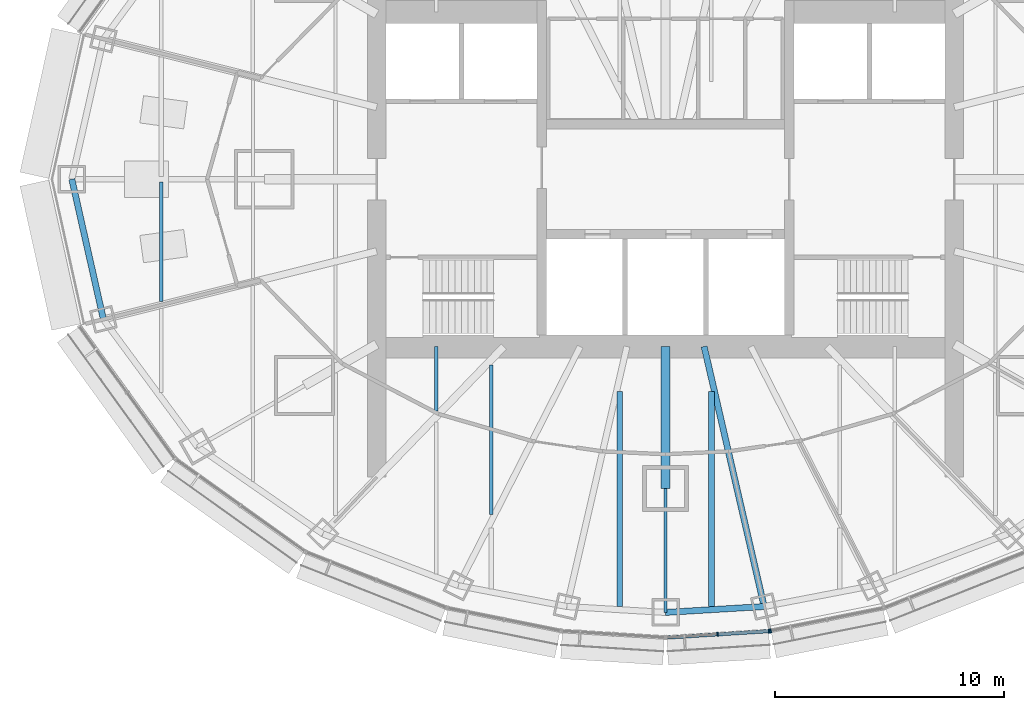
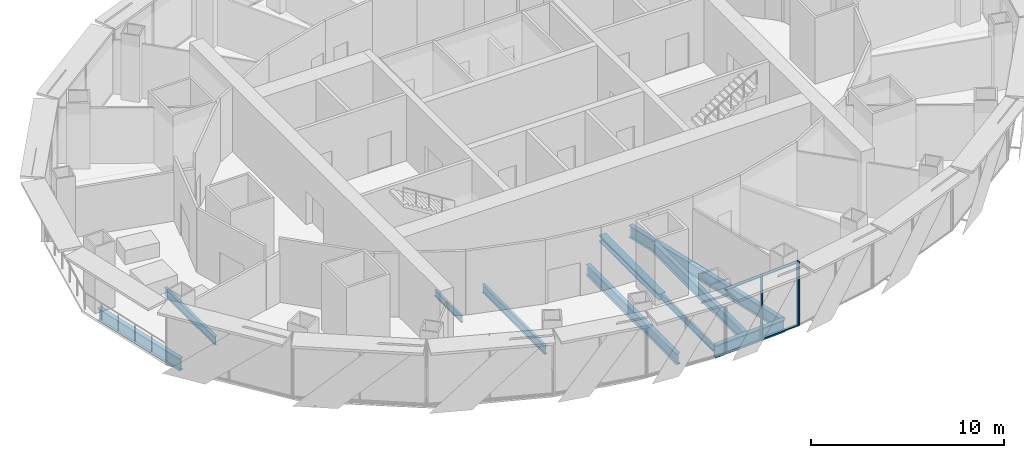
# One storey, part 3 of 16: 10 beams, 6 members, 2 elements without a shape of their own.
"""IFC4 building model written with IfcOpenShell, lengths in metres."""

from ifc_helpers import new_model, si_unit, direction, frame, origin, origin_2d, place, context, subcontext, project, spatial, rectangle, i_section, extrude, material, material_profile, profile_set, type_object, element, aggregate, save


model = new_model("IFC4")

# Units and contexts
model_context = context("Model", 3, precision=1e-05, world=origin(), true_north=direction((0.0, 1.0)))
body_context = subcontext(model_context, "Body", "Model", "MODEL_VIEW")
ifc_project = project(units=[si_unit("LENGTHUNIT", "METRE"), si_unit("AREAUNIT", "SQUARE_METRE"), si_unit("VOLUMEUNIT", "CUBIC_METRE"), si_unit("PLANEANGLEUNIT", "RADIAN"), si_unit("MASSUNIT", "GRAM", prefix="KILO")], contexts=[model_context])

# Site, building, storey
site_placement = place(None, origin())
site = spatial("IfcSite", under=ifc_project, at=site_placement, CompositionType="ELEMENT")
building_placement = place(site_placement, origin())
building = spatial("IfcBuilding", under=site, at=building_placement, Name="Lantaw Convention Tower", CompositionType="ELEMENT")
storey_placement = place(building_placement, frame((0.0, 0.0, 232.60009765625)))
storey = spatial("IfcBuildingStorey", under=building, at=storey_placement, Name="L54", CompositionType="ELEMENT", Elevation=232.60009765625)

# Beams
ifc_material_1 = material(Name="Steel ASTM A992", Category="steel")
ifc_material_profile_1 = material_profile(ifc_material_1, i_section(OverallWidth=0.2666015625, OverallDepth=0.76953125, WebThickness=0.015625, FlangeThickness=0.025390625, FilletRadius=0.0126953125, at=origin_2d()), Name="W30X132")
ifc_profile_set_1 = profile_set([ifc_material_profile_1], Name="Steel ASTM A992")
beam_type_1 = type_object("IfcBeamType", Name="Beam E W30X132", PredefinedType="SPANDREL", material=ifc_profile_set_1)
beam_1_placement = place(storey_placement, frame((-25.89990234375, 0.0, -0.534912109375), z_axis=(0.219857926596, -0.97553190215, 0.0), x_axis=(0.97553190215, 0.219857926596, 0.0)))
element("IfcBeam", 1, at=beam_1_placement, inside=storey, type_object=beam_type_1, Name="Edge beam 13", PredefinedType="SPANDREL", context=body_context, shape_type="SweptSolid", body=[
    extrude(i_section(OverallWidth=0.2666015625, OverallDepth=0.76953125, WebThickness=0.015625, FlangeThickness=0.025390625, FilletRadius=0.0126953125, at=origin_2d()), origin(), (0.0, 0.0, 1.0), 6.267333984375),
])
beam_2_placement = place(storey_placement, frame((0.0, -18.89990234375, -0.534912109375), z_axis=(0.998210730897, 0.059794119452, 0.0), x_axis=(-0.059794119452, 0.998210730897, 0.0)))
element("IfcBeam", 2, at=beam_2_placement, inside=storey, type_object=beam_type_1, Name="Edge beam 19", PredefinedType="SPANDREL", context=body_context, shape_type="SweptSolid", body=[
    extrude(i_section(OverallWidth=0.2666015625, OverallDepth=0.76953125, WebThickness=0.015625, FlangeThickness=0.025390625, FilletRadius=0.0126953125, at=origin_2d()), origin(), (0.0, 0.0, 1.0), 4.311767578125),
])
ifc_material_profile_2 = material_profile(ifc_material_1, i_section(OverallWidth=0.140380859375, OverallDepth=0.40380859375, WebThickness=0.007080078125, FlangeThickness=0.01123046875, FilletRadius=0.01025390625, at=origin_2d()), Name="W16X31")
ifc_profile_set_2 = profile_set([ifc_material_profile_2], Name="Steel ASTM A992")
beam_type_2 = type_object("IfcBeamType", Name="Beam G W16X31", PredefinedType="BEAM", material=ifc_profile_set_2)
beam_3_placement = place(storey_placement, frame((0.0, -13.5, -0.35205078125), z_axis=(0.0, -1.0, 0.0), x_axis=(1.0, 0.0, 0.0)))
element("IfcBeam", 3, at=beam_3_placement, inside=storey, type_object=beam_type_2, Name="Floor girder on ray 19", PredefinedType="BEAM", context=body_context, shape_type="SweptSolid", body=[
    extrude(i_section(OverallWidth=0.140380859375, OverallDepth=0.40380859375, WebThickness=0.007080078125, FlangeThickness=0.01123046875, FilletRadius=0.01025390625, at=origin_2d()), origin(), (0.0, 0.0, 1.0), 5.39990234375),
])
ifc_material_profile_3 = material_profile(ifc_material_1, i_section(OverallWidth=0.2666015625, OverallDepth=0.7568359375, WebThickness=0.013916015625, FlangeThickness=0.019287109375, FilletRadius=0.0126953125, at=origin_2d()), Name="W30X108")
ifc_profile_set_3 = profile_set([ifc_material_profile_3], Name="Steel ASTM A992")
beam_type_3 = type_object("IfcBeamType", Name="Beam G W30X108", PredefinedType="BEAM", material=ifc_profile_set_3)
beam_4_placement = place(storey_placement, frame((1.685302734375, -7.300048828125, -0.528564453125), z_axis=(0.224962134377, -0.974367506692, 0.0), x_axis=(0.974367506692, 0.224962134377, 0.0)))
element("IfcBeam", 4, at=beam_4_placement, inside=storey, type_object=beam_type_3, Name="Floor girder on ray 20", PredefinedType="BEAM", context=body_context, shape_type="SweptSolid", body=[
    extrude(i_section(OverallWidth=0.2666015625, OverallDepth=0.7568359375, WebThickness=0.013916015625, FlangeThickness=0.019287109375, FilletRadius=0.0126953125, at=origin_2d()), origin(), (0.0, 0.0, 1.0), 11.640380859375),
])
ifc_material_profile_4 = material_profile(ifc_material_1, i_section(OverallWidth=0.40380859375, OverallDepth=0.406494140625, WebThickness=0.027099609375, FlangeThickness=0.043701171875, FilletRadius=0.01513671875, at=origin_2d()), Name="W14X233")
ifc_profile_set_4 = profile_set([ifc_material_profile_4], Name="Steel ASTM A992")
beam_type_4 = type_object("IfcBeamType", Name="Beam GM W14X233", PredefinedType="BEAM", material=ifc_profile_set_4)
beam_5_placement = place(storey_placement, frame((0.0, -7.300048828125, -0.353271484375), z_axis=(0.0, -1.0, 0.0), x_axis=(1.0, 0.0, 0.0)))
element("IfcBeam", 5, at=beam_5_placement, inside=storey, type_object=beam_type_4, Name="Core link beam on ray 19", PredefinedType="BEAM", context=body_context, shape_type="SweptSolid", body=[
    extrude(i_section(OverallWidth=0.40380859375, OverallDepth=0.406494140625, WebThickness=0.027099609375, FlangeThickness=0.043701171875, FilletRadius=0.01513671875, at=origin_2d()), origin(), (0.0, 0.0, 1.0), 6.199951171875),
])
ifc_material_profile_5 = material_profile(ifc_material_1, i_section(OverallWidth=0.140380859375, OverallDepth=0.40380859375, WebThickness=0.007080078125, FlangeThickness=0.01123046875, FilletRadius=0.01025390625, at=origin_2d()), Name="W16X31")
ifc_profile_set_5 = profile_set([ifc_material_profile_5], Name="Steel ASTM A992")
beam_type_5 = type_object("IfcBeamType", Name="Beam J W16X31", PredefinedType="JOIST", material=ifc_profile_set_5)
beam_6_placement = place(storey_placement, frame((-10.0, -10.119384765625, -0.35205078125), z_axis=(0.0, 1.0, 0.0), x_axis=(-1.0, 0.0, 0.0)))
element("IfcBeam", 6, at=beam_6_placement, inside=storey, type_object=beam_type_5, Name="Floor joist", PredefinedType="JOIST", context=body_context, shape_type="SweptSolid", body=[
    extrude(i_section(OverallWidth=0.140380859375, OverallDepth=0.40380859375, WebThickness=0.007080078125, FlangeThickness=0.01123046875, FilletRadius=0.01025390625, at=origin_2d()), origin(), (0.0, 0.0, 1.0), 2.8193359375),
])
ifc_material_profile_6 = material_profile(ifc_material_1, i_section(OverallWidth=0.1650390625, OverallDepth=0.52587890625, WebThickness=0.0087890625, FlangeThickness=0.011474609375, FilletRadius=0.0126953125, at=origin_2d()), Name="W21X44")
ifc_profile_set_6 = profile_set([ifc_material_profile_6], Name="Steel ASTM A992")
beam_type_6 = type_object("IfcBeamType", Name="Beam J W21X44", PredefinedType="JOIST", material=ifc_profile_set_6)
beam_7_placement = place(storey_placement, frame((-22.0, -5.326904296875, -0.4130859375), z_axis=(0.0, 1.0, 0.0), x_axis=(-1.0, 0.0, 0.0)))
element("IfcBeam", 7, at=beam_7_placement, inside=storey, type_object=beam_type_6, Name="Floor joist", PredefinedType="JOIST", context=body_context, shape_type="SweptSolid", body=[
    extrude(i_section(OverallWidth=0.1650390625, OverallDepth=0.52587890625, WebThickness=0.0087890625, FlangeThickness=0.011474609375, FilletRadius=0.0126953125, at=origin_2d()), origin(), (0.0, 0.0, 1.0), 5.199951171875),
])
beam_8_placement = place(storey_placement, frame((-7.60009765625, -14.6220703125, -0.4130859375), z_axis=(0.0, 1.0, 0.0), x_axis=(-1.0, 0.0, 0.0)))
element("IfcBeam", 8, at=beam_8_placement, inside=storey, type_object=beam_type_6, Name="Floor joist", PredefinedType="JOIST", context=body_context, shape_type="SweptSolid", body=[
    extrude(i_section(OverallWidth=0.1650390625, OverallDepth=0.52587890625, WebThickness=0.0087890625, FlangeThickness=0.011474609375, FilletRadius=0.0126953125, at=origin_2d()), origin(), (0.0, 0.0, 1.0), 6.51611328125),
])
ifc_material_profile_7 = material_profile(ifc_material_1, i_section(OverallWidth=0.25390625, OverallDepth=0.683349609375, WebThickness=0.012451171875, FlangeThickness=0.01904296875, FilletRadius=0.01513671875, at=origin_2d()), Name="W27X94")
ifc_profile_set_7 = profile_set([ifc_material_profile_7], Name="Steel ASTM A992")
beam_type_7 = type_object("IfcBeamType", Name="Beam J W27X94", PredefinedType="JOIST", material=ifc_profile_set_7)
for number, where, z_axis, x_axis, name in (
    (9, (-2.0, -18.646484375, -0.49169921875), (0.0, 1.0, 0.0), (-1.0, 0.0, 0.0), "Floor joist"),
    (10, (2.0, -18.646484375, -0.49169921875), (0.0, 1.0, 0.0), (-1.0, 0.0, 0.0), "Floor joist"),
):
    element("IfcBeam", number, at=place(storey_placement, frame(where, z_axis=z_axis, x_axis=x_axis)), inside=storey, type_object=beam_type_7, Name=name, PredefinedType="JOIST", context=body_context, shape_type="SweptSolid", body=[
        extrude(i_section(OverallWidth=0.25390625, OverallDepth=0.683349609375, WebThickness=0.012451171875, FlangeThickness=0.01904296875, FilletRadius=0.01513671875, at=origin_2d()), origin(), (0.0, 0.0, 1.0), 9.390625),
    ])

# Curtain wall, members
ifc_material_2 = material(Name="Aluminium framed curtain wall", Category="aluminium")
curtain_wall_type = type_object("IfcCurtainWallType", Name="Office curtain wall high rise, pale aluminium", PredefinedType="USERDEFINED", material=ifc_material_2)
curtain_wall_1_placement = place(storey_placement, origin())
curtain_wall_1 = element("IfcCurtainWall", 11, at=curtain_wall_1_placement, inside=storey, type_object=curtain_wall_type, Name="Office curtain wall high rise, pale aluminium L54", ObjectType="UNITISED CURTAIN WALL", PredefinedType="USERDEFINED")
ifc_material_3 = material(Name="Aluminium 6063-T6", Category="aluminium")
ifc_material_profile_8 = material_profile(ifc_material_3, rectangle(XDim=0.179931640625, YDim=0.06494140625, at=origin_2d()), Name="CW-O2 mullion 65x180")
ifc_profile_set_8 = profile_set([ifc_material_profile_8], Name="Aluminium 6063-T6")
member_type_1 = type_object("IfcMemberType", Name="CW-O2 mullion 65x180", PredefinedType="MULLION", material=ifc_profile_set_8)
member_1_placement = place(storey_placement, frame((2.275634765625, -19.85693359375, 0.0), z_axis=(0.0, 0.0, 1.0), x_axis=(-0.062757983884, 0.998028774865, 0.0)))
member_1 = element("IfcMember", 12, at=member_1_placement, type_object=member_type_1, Name="CW-O2 mullion 2", PredefinedType="MULLION", context=body_context, shape_type="SweptSolid", body=[
    extrude(rectangle(XDim=0.179931640625, YDim=0.06494140625, at=origin_2d()), origin(), (0.0, 0.0, 1.0), 4.0498046875),
])
member_2_placement = place(storey_placement, frame((4.518798828125, -19.7158203125, 0.0), z_axis=(0.0, 0.0, 1.0), x_axis=(-0.062757983884, 0.998028774865, 0.0)))
member_2 = element("IfcMember", 13, at=member_2_placement, type_object=member_type_1, Name="CW-O2 mullion 3", PredefinedType="MULLION", context=body_context, shape_type="SweptSolid", body=[
    extrude(rectangle(XDim=0.179931640625, YDim=0.06494140625, at=origin_2d()), origin(), (0.0, 0.0, 1.0), 4.0498046875),
])

# Curtain wall, member
curtain_wall_2_placement = place(storey_placement, origin())
curtain_wall_2 = element("IfcCurtainWall", 14, at=curtain_wall_2_placement, inside=storey, type_object=curtain_wall_type, Name="Office curtain wall high rise, pale aluminium L54", ObjectType="UNITISED CURTAIN WALL", PredefinedType="USERDEFINED")
member_3_placement = place(storey_placement, frame((4.583251953125, -19.70751953125, 0.0), z_axis=(0.0, 0.0, 1.0), x_axis=(-0.197183095987, 0.980366679695, 0.0)))
member_3 = element("IfcMember", 15, at=member_3_placement, type_object=member_type_1, Name="CW-O2 mullion 1", PredefinedType="MULLION", context=body_context, shape_type="SweptSolid", body=[
    extrude(rectangle(XDim=0.179931640625, YDim=0.06494140625, at=origin_2d()), origin(), (0.0, 0.0, 1.0), 4.0498046875),
])
aggregate(curtain_wall_2, [member_3])

# Member
ifc_material_profile_9 = material_profile(ifc_material_3, rectangle(XDim=0.14990234375, YDim=0.06494140625, at=origin_2d()), Name="CW-O2 transom 65x150")
ifc_profile_set_9 = profile_set([ifc_material_profile_9], Name="Aluminium 6063-T6")
member_type_2 = type_object("IfcMemberType", Name="CW-O2 transom 65x150", PredefinedType="USERDEFINED", material=ifc_profile_set_9)
member_4_placement = place(storey_placement, frame((0.06494140625, -19.995849609375, 4.017333984375), z_axis=(0.998029003644, 0.062754345555, 0.0), x_axis=(-0.062754345555, 0.998029003644, 0.0)))
member_4 = element("IfcMember", 16, at=member_4_placement, type_object=member_type_2, Name="CW-O2 transom 1.2", ObjectType="TRANSOM", PredefinedType="USERDEFINED", context=body_context, shape_type="SweptSolid", body=[
    extrude(rectangle(XDim=0.14990234375, YDim=0.06494140625, at=origin_2d()), origin(), (0.0, 0.0, 1.0), 2.1826171875),
])

member_5_placement = place(storey_placement, frame((2.30810546875, -19.85498046875, 0.032470703125), z_axis=(0.998021991509, 0.062865765437, 0.0), x_axis=(-0.062865765437, 0.998021991509, 0.0)))
member_5 = element("IfcMember", 17, at=member_5_placement, type_object=member_type_2, Name="CW-O2 transom 2.1", ObjectType="TRANSOM", PredefinedType="USERDEFINED", context=body_context, shape_type="SweptSolid", body=[
    extrude(rectangle(XDim=0.14990234375, YDim=0.06494140625, at=origin_2d()), origin(), (0.0, 0.0, 1.0), 2.1826171875),
])

member_6_placement = place(storey_placement, frame((2.30810546875, -19.85498046875, 4.017333984375), z_axis=(0.998021991509, 0.062865765437, 0.0), x_axis=(-0.062865765437, 0.998021991509, 0.0)))
member_6 = element("IfcMember", 18, at=member_6_placement, type_object=member_type_2, Name="CW-O2 transom 2.2", ObjectType="TRANSOM", PredefinedType="USERDEFINED", context=body_context, shape_type="SweptSolid", body=[
    extrude(rectangle(XDim=0.14990234375, YDim=0.06494140625, at=origin_2d()), origin(), (0.0, 0.0, 1.0), 2.1826171875),
])

aggregate(curtain_wall_1, [member_1, member_2, member_4, member_5, member_6])

save(model, "model.ifc")
